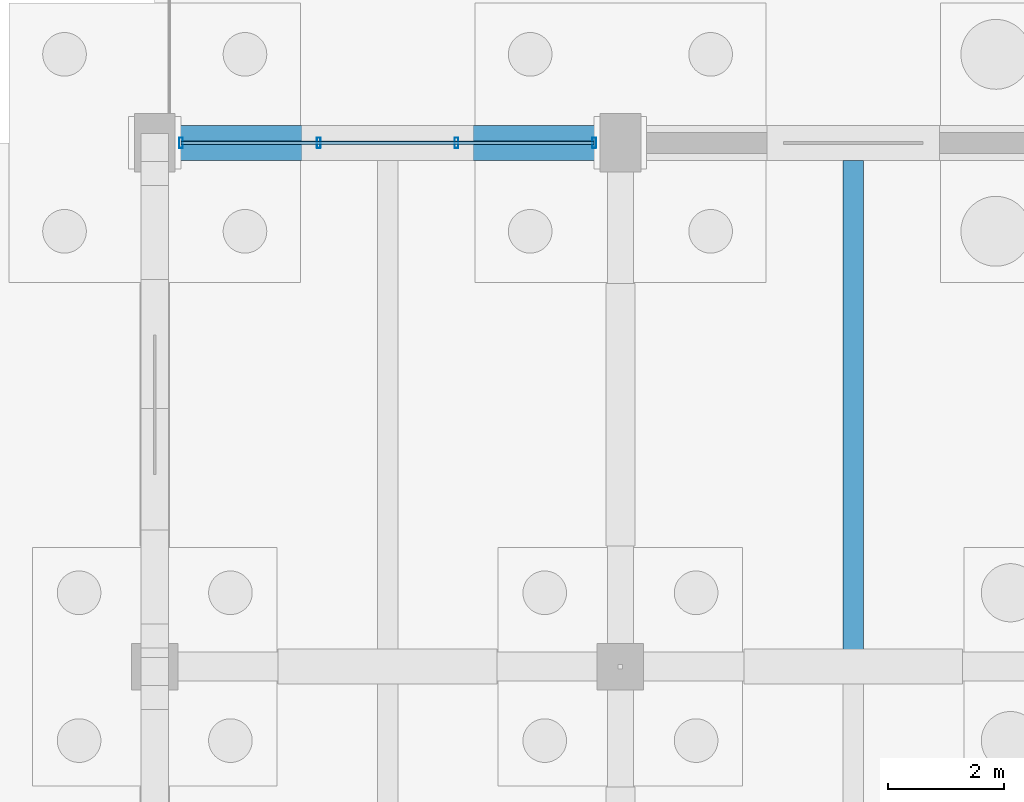
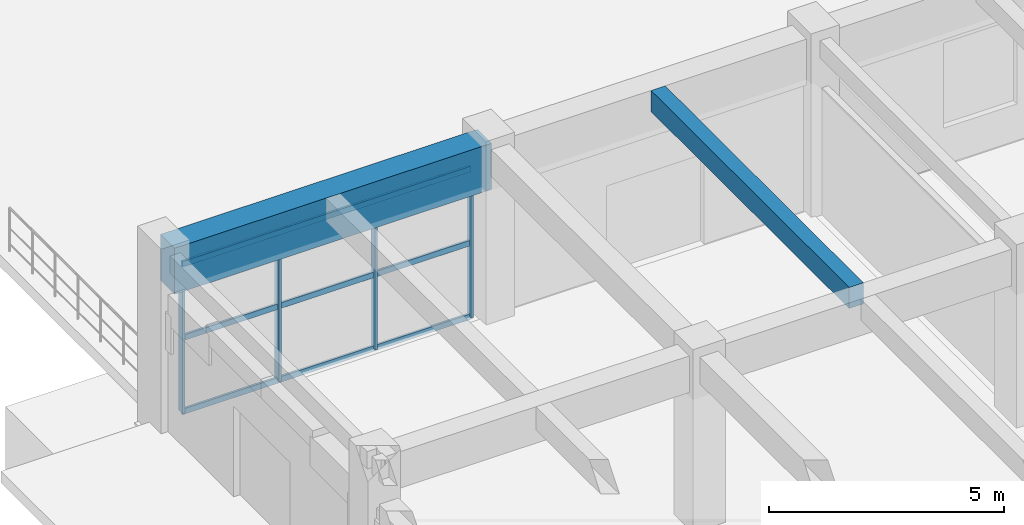
# One storey, part 29 of 147: 7 members, 2 beams, 1 element without a shape of its own.
"""IFC4 building model written with IfcOpenShell, lengths in metres."""

from ifc_helpers import new_model, si_unit, direction, frame, origin, origin_2d, place, context, subcontext, project, spatial, rectangle, hollow_rectangle, extrude, material, material_profile, profile_set, type_object, element, aggregate, save


model = new_model("IFC4")

# Units and contexts
model_context = context("Model", 3, precision=1e-05, world=origin(), true_north=direction((0.0, 1.0)))
body_context = subcontext(model_context, "Body", "Model", "MODEL_VIEW")
ifc_project = project(units=[si_unit("LENGTHUNIT", "METRE"), si_unit("AREAUNIT", "SQUARE_METRE"), si_unit("VOLUMEUNIT", "CUBIC_METRE"), si_unit("PLANEANGLEUNIT", "RADIAN"), si_unit("MASSUNIT", "GRAM", prefix="KILO")], contexts=[model_context])

# Site, building, storey
site_placement = place(None, origin())
site = spatial("IfcSite", under=ifc_project, at=site_placement, CompositionType="ELEMENT")
building_placement = place(site_placement, origin())
building = spatial("IfcBuilding", under=site, at=building_placement, Name="Varnabhumi Central Station", CompositionType="ELEMENT")
storey_placement = place(building_placement, origin())
storey = spatial("IfcBuildingStorey", under=building, at=storey_placement, Name="L00", CompositionType="ELEMENT", Elevation=0.0)

# Beams
ifc_material_1 = material(Name="Concrete M50", Category="concrete")
ifc_material_profile_1 = material_profile(ifc_material_1, rectangle(XDim=0.60009765625, YDim=1.199951171875, at=origin_2d()), Name="Concrete M50", Category="concrete")
ifc_profile_set_1 = profile_set([ifc_material_profile_1], Name="Concrete M50")
beam_type_1 = type_object("IfcBeamType", Name="BM-RC-1200x600", PredefinedType="BEAM", material=ifc_profile_set_1)
beam_1_placement = place(storey_placement, frame((0.10009765625, 36.0, 3.949951171875), z_axis=(1.0, 0.0, 0.0), x_axis=(0.0, 1.0, 0.0)))
element("IfcBeam", 1, at=beam_1_placement, inside=storey, type_object=beam_type_1, Name="Beam L00-E:1-2", PredefinedType="BEAM", context=body_context, shape_type="SweptSolid", body=[
    extrude(rectangle(XDim=0.60009765625, YDim=1.199951171875, at=origin_2d()), origin(), (0.0, 0.0, 1.0), 7.7998046875),
])
ifc_material_2 = material(Name="Concrete M40", Category="concrete")
ifc_material_profile_2 = material_profile(ifc_material_2, rectangle(XDim=0.35009765625, YDim=0.550048828125, at=origin_2d()), Name="Concrete M40", Category="concrete")
ifc_profile_set_2 = profile_set([ifc_material_profile_2], Name="Concrete M40")
beam_type_2 = type_object("IfcBeamType", Name="BM-RC-350x550", PredefinedType="JOIST", material=ifc_profile_set_2)
beam_2_placement = place(storey_placement, frame((12.0, 27.25, 4.27490234375), z_axis=(0.0, 1.0, 0.0), x_axis=(-1.0, 0.0, 0.0)))
element("IfcBeam", 2, at=beam_2_placement, inside=storey, type_object=beam_type_2, Name="Secondary Joist L00-2/3:D-E", PredefinedType="JOIST", context=body_context, shape_type="SweptSolid", body=[
    extrude(rectangle(XDim=0.35009765625, YDim=0.550048828125, at=origin_2d()), origin(), (0.0, 0.0, 1.0), 8.449951171875),
])

# Curtain wall, members
ifc_material_3 = material(Name="Anodised aluminium 6063-T6", Category="aluminium")
curtain_wall_type = type_object("IfcCurtainWallType", Name="CW-SPINE-SCREEN-L0", PredefinedType="NOTDEFINED", material=ifc_material_3)
curtain_wall_placement = place(storey_placement, origin())
curtain_wall = element("IfcCurtainWall", 3, at=curtain_wall_placement, inside=storey, type_object=curtain_wall_type, Name="Curtain Wall CW-SS000", PredefinedType="NOTDEFINED")
ifc_material_profile_3 = material_profile(ifc_material_3, hollow_rectangle(XDim=0.06494140625, YDim=0.179931640625, WallThickness=0.00390625, InnerFilletRadius=0.001953125, OuterFilletRadius=0.006103515625, at=origin_2d()), Name="Anodised aluminium 6063-T6", Category="aluminium")
ifc_profile_set_3 = profile_set([ifc_material_profile_3], Name="Anodised aluminium 6063-T6")
member_type_1 = type_object("IfcMemberType", Name="CW-MUL-180", PredefinedType="MULLION", material=ifc_profile_set_3)
member_1_placement = place(storey_placement, frame((0.449951171875, 36.0, 0.0), z_axis=(0.0, 0.0, 1.0), x_axis=(1.0, 0.0, 0.0)))
member_1 = element("IfcMember", 4, at=member_1_placement, type_object=member_type_1, Name="Curtain Wall Mullion CW-SS000-M1", PredefinedType="MULLION", context=body_context, shape_type="SweptSolid", body=[
    extrude(hollow_rectangle(XDim=0.06494140625, YDim=0.179931640625, WallThickness=0.00390625, InnerFilletRadius=0.001953125, OuterFilletRadius=0.006103515625, at=origin_2d()), origin(), (0.0, 0.0, 1.0), 3.840087890625),
])
member_2_placement = place(storey_placement, frame((2.816650390625, 36.0, 0.0), z_axis=(0.0, 0.0, 1.0), x_axis=(1.0, 0.0, 0.0)))
member_2 = element("IfcMember", 5, at=member_2_placement, type_object=member_type_1, Name="Curtain Wall Mullion CW-SS000-M2", PredefinedType="MULLION", context=body_context, shape_type="SweptSolid", body=[
    extrude(hollow_rectangle(XDim=0.06494140625, YDim=0.179931640625, WallThickness=0.00390625, InnerFilletRadius=0.001953125, OuterFilletRadius=0.006103515625, at=origin_2d()), origin(), (0.0, 0.0, 1.0), 3.840087890625),
])
member_3_placement = place(storey_placement, frame((5.183349609375, 36.0, 0.0), z_axis=(0.0, 0.0, 1.0), x_axis=(1.0, 0.0, 0.0)))
member_3 = element("IfcMember", 6, at=member_3_placement, type_object=member_type_1, Name="Curtain Wall Mullion CW-SS000-M3", PredefinedType="MULLION", context=body_context, shape_type="SweptSolid", body=[
    extrude(hollow_rectangle(XDim=0.06494140625, YDim=0.179931640625, WallThickness=0.00390625, InnerFilletRadius=0.001953125, OuterFilletRadius=0.006103515625, at=origin_2d()), origin(), (0.0, 0.0, 1.0), 3.840087890625),
])
member_4_placement = place(storey_placement, frame((7.550048828125, 36.0, 0.0), z_axis=(0.0, 0.0, 1.0), x_axis=(1.0, 0.0, 0.0)))
member_4 = element("IfcMember", 7, at=member_4_placement, type_object=member_type_1, Name="Curtain Wall Mullion CW-SS000-M4", PredefinedType="MULLION", context=body_context, shape_type="SweptSolid", body=[
    extrude(hollow_rectangle(XDim=0.06494140625, YDim=0.179931640625, WallThickness=0.00390625, InnerFilletRadius=0.001953125, OuterFilletRadius=0.006103515625, at=origin_2d()), origin(), (0.0, 0.0, 1.0), 3.840087890625),
])
ifc_material_profile_4 = material_profile(ifc_material_3, hollow_rectangle(XDim=0.06005859375, YDim=0.14990234375, WallThickness=0.00390625, InnerFilletRadius=0.001953125, OuterFilletRadius=0.006103515625, at=origin_2d()), Name="Anodised aluminium 6063-T6", Category="aluminium")
ifc_profile_set_4 = profile_set([ifc_material_profile_4], Name="Anodised aluminium 6063-T6")
member_type_2 = type_object("IfcMemberType", Name="CW-TR-150", PredefinedType="USERDEFINED", material=ifc_profile_set_4)
member_5_placement = place(storey_placement, frame((0.449951171875, 36.0, 0.0), z_axis=(1.0, 0.0, 0.0), x_axis=(0.0, 1.0, 0.0)))
member_5 = element("IfcMember", 8, at=member_5_placement, type_object=member_type_2, Name="Curtain Wall Transom CW-SS000-T1", ObjectType="TRANSOM", PredefinedType="USERDEFINED", context=body_context, shape_type="SweptSolid", body=[
    extrude(hollow_rectangle(XDim=0.06005859375, YDim=0.14990234375, WallThickness=0.00390625, InnerFilletRadius=0.001953125, OuterFilletRadius=0.006103515625, at=origin_2d()), origin(), (0.0, 0.0, 1.0), 7.10009765625),
])
member_6_placement = place(storey_placement, frame((0.449951171875, 36.0, 1.919921875), z_axis=(1.0, 0.0, 0.0), x_axis=(0.0, 1.0, 0.0)))
member_6 = element("IfcMember", 9, at=member_6_placement, type_object=member_type_2, Name="Curtain Wall Transom CW-SS000-T2", ObjectType="TRANSOM", PredefinedType="USERDEFINED", context=body_context, shape_type="SweptSolid", body=[
    extrude(hollow_rectangle(XDim=0.06005859375, YDim=0.14990234375, WallThickness=0.00390625, InnerFilletRadius=0.001953125, OuterFilletRadius=0.006103515625, at=origin_2d()), origin(), (0.0, 0.0, 1.0), 7.10009765625),
])
member_7_placement = place(storey_placement, frame((0.449951171875, 36.0, 3.840087890625), z_axis=(1.0, 0.0, 0.0), x_axis=(0.0, 1.0, 0.0)))
member_7 = element("IfcMember", 10, at=member_7_placement, type_object=member_type_2, Name="Curtain Wall Transom CW-SS000-T3", ObjectType="TRANSOM", PredefinedType="USERDEFINED", context=body_context, shape_type="SweptSolid", body=[
    extrude(hollow_rectangle(XDim=0.06005859375, YDim=0.14990234375, WallThickness=0.00390625, InnerFilletRadius=0.001953125, OuterFilletRadius=0.006103515625, at=origin_2d()), origin(), (0.0, 0.0, 1.0), 7.10009765625),
])
aggregate(curtain_wall, [member_1, member_2, member_3, member_4, member_5, member_6, member_7])

save(model, "model.ifc")
